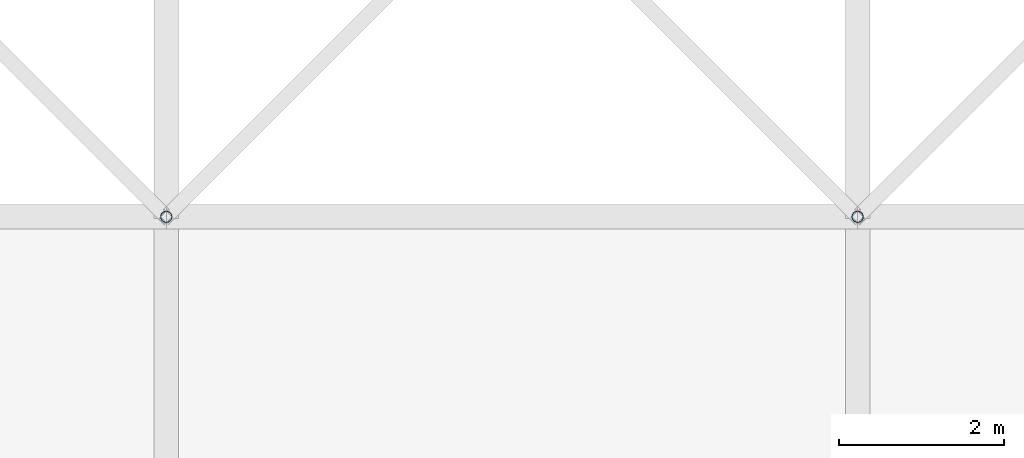
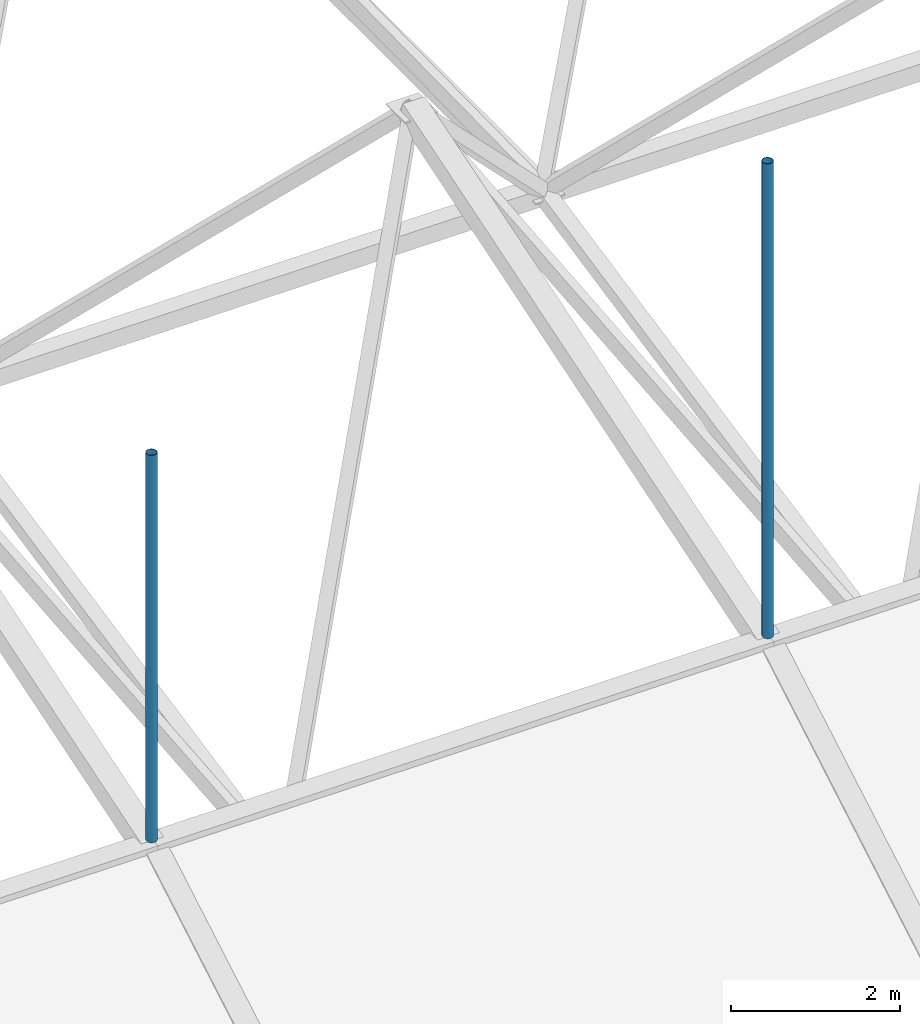
# One storey, part 85 of 111: 2 discrete accessories.
"""IFC4 building model written with IfcOpenShell, lengths in metres."""

import ifcopenshell
import ifcopenshell.guid

model = None  # the IFC model being written
_history = None  # IfcOwnerHistory: only IFC2X3 demands one
_inside = {}  # id of a spatial element -> (the spatial element, [elements in it])
_under = {}  # id of a project, library or spatial element -> (it, [spatial elements below it])
_declared = {}  # id of a project -> (the project, [libraries it declares])
_typed = {}  # id of a type object -> (the type object, [elements of that type])
_made_of = {}  # id of a material, layer set ... -> (it, [elements and type objects made of it])


def new_model(schema):
    """Start an empty IFC model of exactly this schema.

    Asked for "IFC4X3", IfcOpenShell would pick the latest addendum, in which some entities
    have other attributes; the version numbers below select the first issue.
    IFC2X3 requires an IfcOwnerHistory on every rooted entity: one is made here for all.
    """
    global model, _history
    if schema == "IFC4X3":
        model = ifcopenshell.file(schema_version=(4, 3, 0, 0))
    else:
        model = ifcopenshell.file(schema=schema)
    _inside.clear()
    _under.clear()
    _declared.clear()
    _typed.clear()
    _made_of.clear()
    _history = None
    if model.schema == "IFC2X3":
        org = make("IfcOrganization", Name="unknown")
        user = make(
            "IfcPersonAndOrganization",
            ThePerson=make("IfcPerson", FamilyName="unknown"),
            TheOrganization=org,
        )
        app = make(
            "IfcApplication",
            ApplicationDeveloper=org,
            Version="unknown",
            ApplicationFullName="unknown",
            ApplicationIdentifier="unknown",
        )
        _history = make(
            "IfcOwnerHistory",
            OwningUser=user,
            OwningApplication=app,
            ChangeAction="ADDED",
            CreationDate=0,
        )
    return model


def make(cls, **values):
    """One entity of the class cls with the attributes given. An attribute that is None is left unset."""
    return model.create_entity(
        cls, **{name: value for name, value in values.items() if value is not None}
    )


def rooted(cls, **values):
    """An entity with a GlobalId (a new one), such as an element, a storey or a relation."""
    return make(cls, GlobalId=ifcopenshell.guid.new(), OwnerHistory=_history, **values)


def si_unit(unit_type, name, prefix=None):
    """IfcSIUnit, for example si_unit("LENGTHUNIT", "METRE", prefix="MILLI")."""
    return make("IfcSIUnit", UnitType=unit_type, Prefix=prefix, Name=name)


def assignment(units):
    """IfcUnitAssignment: the units of a project."""
    return None if units is None else make("IfcUnitAssignment", Units=units)


def point(xyz):
    """IfcCartesianPoint."""
    return None if xyz is None else make("IfcCartesianPoint", Coordinates=xyz)


def direction(xyz):
    """IfcDirection."""
    return None if xyz is None else make("IfcDirection", DirectionRatios=xyz)


def frame(location, z_axis=None, x_axis=None):
    """IfcAxis2Placement3D, a coordinate frame: its origin and axes. An axis left out is left unset."""
    return make(
        "IfcAxis2Placement3D",
        Location=point(location),
        Axis=direction(z_axis),
        RefDirection=direction(x_axis),
    )


def frame_2d(location, x_axis=None):
    """IfcAxis2Placement2D, a coordinate frame in the plane: its origin and x axis."""
    return make(
        "IfcAxis2Placement2D", Location=point(location), RefDirection=direction(x_axis)
    )


def origin():
    """The frame at (0, 0, 0) with its axes left unset."""
    return frame((0.0, 0.0, 0.0))


def origin_2d():
    """The frame at (0, 0) in the plane with its x axis left unset."""
    return frame_2d((0.0, 0.0))


def place(relative_to, where):
    """IfcLocalPlacement: puts the frame where relative to a parent placement (None: the world)."""
    return make(
        "IfcLocalPlacement", PlacementRelTo=relative_to, RelativePlacement=where
    )


def context(
    kind, dimensions, precision=None, world=None, true_north=None, identifier=None
):
    """IfcGeometricRepresentationContext, for example the 3D "Model" context."""
    return make(
        "IfcGeometricRepresentationContext",
        ContextIdentifier=identifier,
        ContextType=kind,
        CoordinateSpaceDimension=dimensions,
        Precision=precision,
        WorldCoordinateSystem=world,
        TrueNorth=true_north,
    )


def subcontext(parent, identifier, kind, view, scale=None):
    """IfcGeometricRepresentationSubContext, for example "Body" below "Model"."""
    return make(
        "IfcGeometricRepresentationSubContext",
        ContextIdentifier=identifier,
        ContextType=kind,
        ParentContext=parent,
        TargetScale=scale,
        TargetView=view,
    )


def project(units=None, contexts=None):
    """IfcProject with its units and contexts."""
    return rooted(
        "IfcProject",
        Name="project",
        RepresentationContexts=contexts,
        UnitsInContext=assignment(units),
    )


def spatial(cls, under=None, at=None, **own):
    """A site, building, storey or space (cls), placed at a placement, below another one or the project."""
    s = rooted(cls, ObjectPlacement=at, **own)
    if under is not None:
        _under.setdefault(under.id(), (under, []))[1].append(s)
    return s


def profile(cls, at=None, kind="AREA", **sizes):
    """A parametric profile (cls). Its sizes go by their IFC names, for example OverallWidth=200.0."""
    return make(cls, ProfileType=kind, Position=at, **sizes)


def hollow_circle(**sizes):
    """IfcCircleHollowProfileDef."""
    return profile("IfcCircleHollowProfileDef", **sizes)


def extrude(swept, where, along, depth):
    """IfcExtrudedAreaSolid: the profile swept, set in the frame where, extruded along a direction by depth."""
    return make(
        "IfcExtrudedAreaSolid",
        SweptArea=swept,
        Position=where,
        ExtrudedDirection=direction(along),
        Depth=depth,
    )


def shape(context_of_items, identifier, shape_type, items):
    """IfcShapeRepresentation: the items that make up one representation, for example the "Body"."""
    return make(
        "IfcShapeRepresentation",
        ContextOfItems=context_of_items,
        RepresentationIdentifier=identifier,
        RepresentationType=shape_type,
        Items=items,
    )


def material(Name=None, Category=None):
    """IfcMaterial."""
    return make("IfcMaterial", Name=Name, Category=Category)


def material_profile(
    of_material, cross_section, Name=None, Category=None, Priority=None
):
    """IfcMaterialProfile: a cross section and its material."""
    return make(
        "IfcMaterialProfile",
        Name=Name,
        Material=of_material,
        Profile=cross_section,
        Priority=Priority,
        Category=Category,
    )


def profile_set(profiles, Name=None, composite=None):
    """IfcMaterialProfileSet."""
    return make(
        "IfcMaterialProfileSet",
        Name=Name,
        MaterialProfiles=profiles,
        CompositeProfile=composite,
    )


def made_of(thing, what):
    """Note that an element or type object is made of a material, layer set ...; save() writes the relation."""
    if what is not None:
        _made_of.setdefault(what.id(), (what, []))[1].append(thing)
    return thing


def type_object(cls, material=None, **own):
    """A type object (cls), such as IfcWallType, which elements share."""
    return made_of(rooted(cls, **own), material)


def element(
    cls,
    number,
    at=None,
    inside=None,
    cuts=None,
    type_object=None,
    material=None,
    context=None,
    identifier="Body",
    shape_type=None,
    held_by="IfcProductDefinitionShape",
    body=None,
    shapes=None,
    **own,
):
    """One element of the class cls, such as IfcWall. Its Tag is "e" and its number.

    at: its placement. inside: the storey or other place that contains it. cuts: it is an
    opening in that element (IfcRelVoidsElement). A single representation is given by context,
    identifier, shape_type and body (its items); several are given by shapes. held_by: the class
    of the entity that holds the representations. save() writes the other relations.
    """
    e = rooted(cls, Tag="e%d" % number, ObjectPlacement=at, **own)
    if body is not None:
        shapes = [shape(context, identifier, shape_type, body)]
    if shapes is not None:
        e.Representation = make(held_by, Representations=shapes)
    if inside is not None:
        _inside.setdefault(inside.id(), (inside, []))[1].append(e)
    if cuts is not None:
        rooted(
            "IfcRelVoidsElement", RelatingBuildingElement=cuts, RelatedOpeningElement=e
        )
    if type_object is not None:
        _typed.setdefault(type_object.id(), (type_object, []))[1].append(e)
    return made_of(e, material)


def aggregate(whole, parts):
    """IfcRelAggregates: a whole, such as a stair, and the parts it consists of."""
    return rooted("IfcRelAggregates", RelatingObject=whole, RelatedObjects=parts)


def save(model, path):
    """Write the relations noted so far, then the file.

    IfcRelAggregates (storeys below a building ...), IfcRelContainedInSpatialStructure (elements
    in a storey), IfcRelDefinesByType, IfcRelAssociatesMaterial and IfcRelDeclares: one each for
    every whole, place, type object, material and project.
    """
    for whole, parts in _under.values():
        aggregate(whole, parts)
    for where, things in _inside.values():
        rooted(
            "IfcRelContainedInSpatialStructure",
            RelatedElements=things,
            RelatingStructure=where,
        )
    for kind, things in _typed.values():
        rooted("IfcRelDefinesByType", RelatedObjects=things, RelatingType=kind)
    for what, things in _made_of.values():
        rooted("IfcRelAssociatesMaterial", RelatedObjects=things, RelatingMaterial=what)
    for by, libraries in _declared.values():
        rooted("IfcRelDeclares", RelatingContext=by, RelatedDefinitions=libraries)
    model.write(path)


model = new_model("IFC4")

# Units and contexts
model_context = context("Model", 3, precision=1e-05, world=origin(), true_north=direction((0.0, 1.0)))
body_context = subcontext(model_context, "Body", "Model", "MODEL_VIEW")
ifc_project = project(units=[si_unit("LENGTHUNIT", "METRE"), si_unit("AREAUNIT", "SQUARE_METRE"), si_unit("VOLUMEUNIT", "CUBIC_METRE"), si_unit("PLANEANGLEUNIT", "RADIAN"), si_unit("MASSUNIT", "GRAM", prefix="KILO")], contexts=[model_context])

# Site, building, storey
site_placement = place(None, origin())
site = spatial("IfcSite", under=ifc_project, at=site_placement, CompositionType="ELEMENT")
building_placement = place(site_placement, origin())
building = spatial("IfcBuilding", under=site, at=building_placement, Name="Rain Tree Exposition and Congress Centre", CompositionType="ELEMENT")
storey_placement = place(building_placement, frame((0.0, 0.0, 19.5)))
storey = spatial("IfcBuildingStorey", under=building, at=storey_placement, Name="RF", CompositionType="ELEMENT", Elevation=19.5)

# Discrete accessories
ifc_material = material(Name="Steel S355J2H", Category="steel")
ifc_material_profile = material_profile(ifc_material, hollow_circle(Radius=0.06982421875, WallThickness=0.0048828125, at=origin_2d()), Name="CHS 140x5")
ifc_profile_set = profile_set([ifc_material_profile], Name="Steel S355J2H")
discrete_accessory_type = type_object("IfcDiscreteAccessoryType", Name="Roof skin post CHS 140x5", PredefinedType="BRACKET", material=ifc_profile_set)
discrete_accessory_1_placement = place(storey_placement, frame((193.199951171875, 159.60009765625, 5.39404296875), z_axis=(0.0, 0.0, 1.0), x_axis=(1.0, 0.0, 0.0)))
element("IfcDiscreteAccessory", 1, at=discrete_accessory_1_placement, inside=storey, type_object=discrete_accessory_type, Name="Roof skin post B98", PredefinedType="BRACKET", context=body_context, shape_type="SweptSolid", body=[
    extrude(hollow_circle(Radius=0.06982421875, WallThickness=0.0048828125, at=origin_2d()), origin(), (0.0, 0.0, 1.0), 5.58349609375),
])
discrete_accessory_2_placement = place(storey_placement, frame((201.60009765625, 159.60009765625, 5.39404296875), z_axis=(0.0, 0.0, 1.0), x_axis=(1.0, 0.0, 0.0)))
element("IfcDiscreteAccessory", 2, at=discrete_accessory_2_placement, inside=storey, type_object=discrete_accessory_type, Name="Roof skin post B99", PredefinedType="BRACKET", context=body_context, shape_type="SweptSolid", body=[
    extrude(hollow_circle(Radius=0.06982421875, WallThickness=0.0048828125, at=origin_2d()), origin(), (0.0, 0.0, 1.0), 6.845703125),
])

save(model, "model.ifc")
